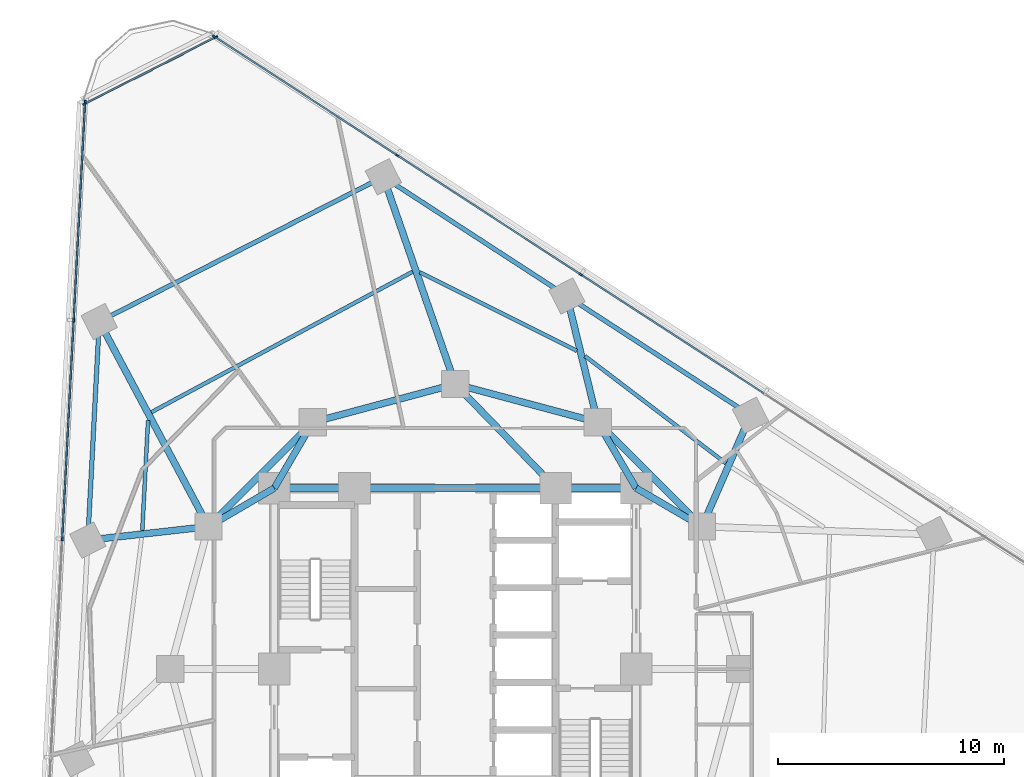
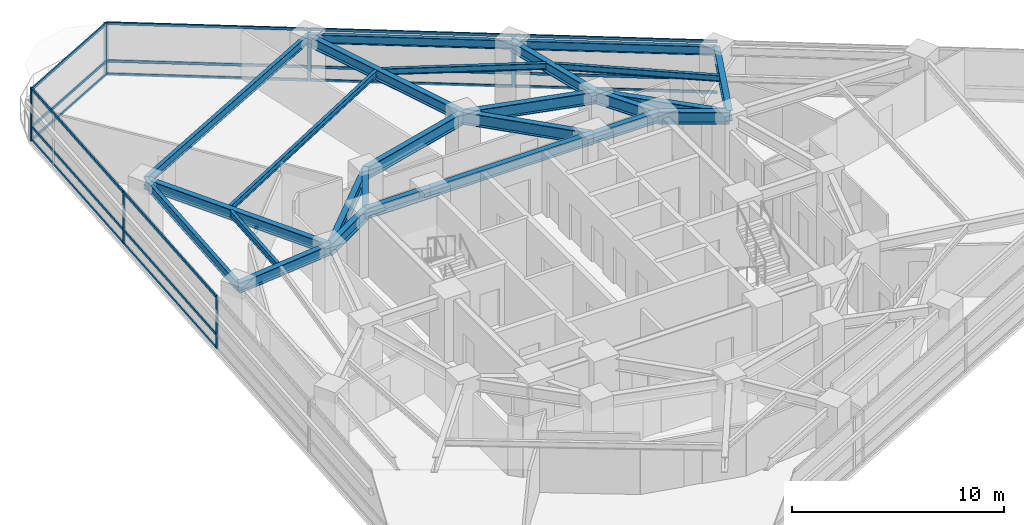
# One storey, part 5 of 14: 26 members, 25 beams, 3 elements without a shape of their own.
"""IFC4 building model written with IfcOpenShell, lengths in metres."""

from ifc_helpers import new_model, si_unit, direction, frame, origin, origin_2d, place, context, subcontext, project, spatial, rectangle, i_section, extrude, material, layer, layer_set, material_profile, profile_set, type_object, element, aggregate, save


model = new_model("IFC4")

# Units and contexts
model_context = context("Model", 3, precision=1e-05, world=origin(), true_north=direction((0.0, 1.0)))
body_context = subcontext(model_context, "Body", "Model", "MODEL_VIEW")
ifc_project = project(units=[si_unit("LENGTHUNIT", "METRE"), si_unit("AREAUNIT", "SQUARE_METRE"), si_unit("VOLUMEUNIT", "CUBIC_METRE"), si_unit("PLANEANGLEUNIT", "RADIAN"), si_unit("MASSUNIT", "GRAM", prefix="KILO")], contexts=[model_context])

# Site, building, storey
site_placement = place(None, origin())
site = spatial("IfcSite", under=ifc_project, at=site_placement, CompositionType="ELEMENT")
building_placement = place(site_placement, origin())
building = spatial("IfcBuilding", under=site, at=building_placement, Name="Terralouvre Media Tower", CompositionType="ELEMENT")
storey_placement = place(building_placement, frame((0.0, 0.0, 127.300048828125)))
storey = spatial("IfcBuildingStorey", under=building, at=storey_placement, Name="L32", CompositionType="ELEMENT", Elevation=127.300048828125)

# Beams
ifc_material_1 = material(Name="Structural steel S355J2", Category="steel")
ifc_material_profile_1 = material_profile(ifc_material_1, i_section(OverallWidth=0.169921875, OverallDepth=0.360107421875, WebThickness=0.008056640625, FlangeThickness=0.0126953125, at=origin_2d()), Name="IPE 360")
ifc_profile_set_1 = profile_set([ifc_material_profile_1], Name="Structural steel S355J2")
beam_type_1 = type_object("IfcBeamType", Name="Composite Floor Joist J-IPE360 (IPE 360)", PredefinedType="JOIST", material=ifc_profile_set_1)
beam_1_placement = place(storey_placement, frame((11.970703125, 9.098388671875, 3.320068359375), z_axis=(-0.795913950382, 0.605409765024, 0.0), x_axis=(-0.605409765024, -0.795913950382, 0.0)))
element("IfcBeam", 1, at=beam_1_placement, inside=storey, type_object=beam_type_1, Name="L32 Framing Beam JT-L32-08", PredefinedType="JOIST", context=body_context, shape_type="SweptSolid", body=[
    extrude(i_section(OverallWidth=0.169921875, OverallDepth=0.360107421875, WebThickness=0.008056640625, FlangeThickness=0.0126953125, at=origin_2d()), origin(), (0.0, 0.0, 1.0), 7.8291015625),
])
beam_2_placement = place(storey_placement, frame((5.37744140625, 14.068603515625, 3.320068359375), z_axis=(-0.893973577097, 0.448119675368, 0.0), x_axis=(-0.448119675368, -0.893973577097, 0.0)))
element("IfcBeam", 2, at=beam_2_placement, inside=storey, type_object=beam_type_1, Name="L32 Framing Beam JT-L32-09", PredefinedType="JOIST", context=body_context, shape_type="SweptSolid", body=[
    extrude(i_section(OverallWidth=0.169921875, OverallDepth=0.360107421875, WebThickness=0.008056640625, FlangeThickness=0.0126953125, at=origin_2d()), origin(), (0.0, 0.0, 1.0), 7.758056640625),
])
beam_3_placement = place(storey_placement, frame((-1.880615234375, 17.569580078125, 3.320068359375), z_axis=(-0.880744642144, -0.473591464592, 0.0), x_axis=(0.473591464592, -0.880744642144, 0.0)))
element("IfcBeam", 3, at=beam_3_placement, inside=storey, type_object=beam_type_1, Name="L32 Framing Beam JT-L32-10", PredefinedType="JOIST", context=body_context, shape_type="SweptSolid", body=[
    extrude(i_section(OverallWidth=0.169921875, OverallDepth=0.360107421875, WebThickness=0.008056640625, FlangeThickness=0.0126953125, at=origin_2d()), origin(), (0.0, 0.0, 1.0), 13.11865234375),
])
beam_4_placement = place(storey_placement, frame((-13.58203125, 10.9970703125, 3.320068359375), z_axis=(-0.052377831518, -0.998627339284, 0.0), x_axis=(0.998627339284, -0.052377831518, 0.0)))
element("IfcBeam", 4, at=beam_4_placement, inside=storey, type_object=beam_type_1, Name="L32 Framing Beam JT-L32-11", PredefinedType="JOIST", context=body_context, shape_type="SweptSolid", body=[
    extrude(i_section(OverallWidth=0.169921875, OverallDepth=0.360107421875, WebThickness=0.008056640625, FlangeThickness=0.0126953125, at=origin_2d()), origin(), (0.0, 0.0, 1.0), 4.884765625),
])

# Curtain wall, members
ifc_material_2 = material(Name="Low-iron laminated double glazing with solar-control coating", Category="glass")
ifc_layer_1 = layer(ifc_material_2, 0.1650390625, Name="Production Studio Tower Curtain Wall CW-03")
ifc_layer_set_1 = layer_set([ifc_layer_1], Name="Low-iron laminated double glazing with solar-control coating")
curtain_wall_type_1 = type_object("IfcCurtainWallType", Name="Production Studio Tower Curtain Wall CW-03", PredefinedType="NOTDEFINED", material=ifc_layer_set_1)
curtain_wall_1_placement = place(storey_placement, origin())
curtain_wall_1 = element("IfcCurtainWall", 5, at=curtain_wall_1_placement, inside=storey, type_object=curtain_wall_type_1, Name="L32 Facade Curtain Wall F1", PredefinedType="NOTDEFINED")
ifc_material_3 = material(Name="Anodised extruded aluminium 6063-T6", Category="aluminium")
ifc_material_profile_2 = material_profile(ifc_material_3, rectangle(XDim=0.074951171875, YDim=0.14990234375, at=origin_2d()), Name="ALU 75x150")
ifc_profile_set_2 = profile_set([ifc_material_profile_2], Name="Anodised extruded aluminium 6063-T6")
member_type_1 = type_object("IfcMemberType", Name="Curtain-Wall Horizontal Transom TR-150", PredefinedType="USERDEFINED", material=ifc_profile_set_2)
member_1_placement = place(storey_placement, frame((13.6416015625, 12.1884765625, 0.037353515625), z_axis=(-0.838672931076, 0.544635396095, 0.0), x_axis=(-0.544635396095, -0.838672931076, 0.0)))
member_1 = element("IfcMember", 6, at=member_1_placement, type_object=member_type_1, Name="CW-03 transom 3.1", ObjectType="TRANSOM", PredefinedType="USERDEFINED", context=body_context, shape_type="SweptSolid", body=[
    extrude(rectangle(XDim=0.074951171875, YDim=0.14990234375, at=origin_2d()), origin(), (0.0, 0.0, 1.0), 9.60498046875),
])
member_2_placement = place(storey_placement, frame((13.6416015625, 12.1884765625, 0.800048828125), z_axis=(-0.838672931076, 0.544635396095, 0.0), x_axis=(-0.544635396095, -0.838672931076, 0.0)))
member_2 = element("IfcMember", 7, at=member_2_placement, type_object=member_type_1, Name="CW-03 transom 3.2", ObjectType="TRANSOM", PredefinedType="USERDEFINED", context=body_context, shape_type="SweptSolid", body=[
    extrude(rectangle(XDim=0.074951171875, YDim=0.14990234375, at=origin_2d()), origin(), (0.0, 0.0, 1.0), 9.60498046875),
])
member_3_placement = place(storey_placement, frame((13.6416015625, 12.1884765625, 2.96240234375), z_axis=(-0.838672931076, 0.544635396095, 0.0), x_axis=(-0.544635396095, -0.838672931076, 0.0)))
member_3 = element("IfcMember", 8, at=member_3_placement, type_object=member_type_1, Name="CW-03 transom 3.3", ObjectType="TRANSOM", PredefinedType="USERDEFINED", context=body_context, shape_type="SweptSolid", body=[
    extrude(rectangle(XDim=0.074951171875, YDim=0.14990234375, at=origin_2d()), origin(), (0.0, 0.0, 1.0), 9.60498046875),
])
member_4_placement = place(storey_placement, frame((5.523193359375, 17.460693359375, 0.037353515625), z_axis=(-0.838672931076, 0.544635396095, 0.0), x_axis=(-0.544635396095, -0.838672931076, 0.0)))
member_4 = element("IfcMember", 9, at=member_4_placement, type_object=member_type_1, Name="CW-03 transom 4.1", ObjectType="TRANSOM", PredefinedType="USERDEFINED", context=body_context, shape_type="SweptSolid", body=[
    extrude(rectangle(XDim=0.074951171875, YDim=0.14990234375, at=origin_2d()), origin(), (0.0, 0.0, 1.0), 9.60498046875),
])
member_5_placement = place(storey_placement, frame((5.523193359375, 17.460693359375, 0.800048828125), z_axis=(-0.838672931076, 0.544635396095, 0.0), x_axis=(-0.544635396095, -0.838672931076, 0.0)))
member_5 = element("IfcMember", 10, at=member_5_placement, type_object=member_type_1, Name="CW-03 transom 4.2", ObjectType="TRANSOM", PredefinedType="USERDEFINED", context=body_context, shape_type="SweptSolid", body=[
    extrude(rectangle(XDim=0.074951171875, YDim=0.14990234375, at=origin_2d()), origin(), (0.0, 0.0, 1.0), 9.60498046875),
])
member_6_placement = place(storey_placement, frame((5.523193359375, 17.460693359375, 2.96240234375), z_axis=(-0.838672931076, 0.544635396095, 0.0), x_axis=(-0.544635396095, -0.838672931076, 0.0)))
member_6 = element("IfcMember", 11, at=member_6_placement, type_object=member_type_1, Name="CW-03 transom 4.3", ObjectType="TRANSOM", PredefinedType="USERDEFINED", context=body_context, shape_type="SweptSolid", body=[
    extrude(rectangle(XDim=0.074951171875, YDim=0.14990234375, at=origin_2d()), origin(), (0.0, 0.0, 1.0), 9.60498046875),
])
member_7_placement = place(storey_placement, frame((-2.594970703125, 22.732666015625, 0.037353515625), z_axis=(-0.838671492993, 0.544637610565, 0.0), x_axis=(-0.544637610565, -0.838671492993, 0.0)))
member_7 = element("IfcMember", 12, at=member_7_placement, type_object=member_type_1, Name="CW-03 transom 5.1", ObjectType="TRANSOM", PredefinedType="USERDEFINED", context=body_context, shape_type="SweptSolid", body=[
    extrude(rectangle(XDim=0.074951171875, YDim=0.14990234375, at=origin_2d()), origin(), (0.0, 0.0, 1.0), 9.567626953125),
])
member_8_placement = place(storey_placement, frame((-2.594970703125, 22.732666015625, 0.800048828125), z_axis=(-0.838671492993, 0.544637610565, 0.0), x_axis=(-0.544637610565, -0.838671492993, 0.0)))
member_8 = element("IfcMember", 13, at=member_8_placement, type_object=member_type_1, Name="CW-03 transom 5.2", ObjectType="TRANSOM", PredefinedType="USERDEFINED", context=body_context, shape_type="SweptSolid", body=[
    extrude(rectangle(XDim=0.074951171875, YDim=0.14990234375, at=origin_2d()), origin(), (0.0, 0.0, 1.0), 9.567626953125),
])
member_9_placement = place(storey_placement, frame((-2.594970703125, 22.732666015625, 2.96240234375), z_axis=(-0.838671492993, 0.544637610565, 0.0), x_axis=(-0.544637610565, -0.838671492993, 0.0)))
member_9 = element("IfcMember", 14, at=member_9_placement, type_object=member_type_1, Name="CW-03 transom 5.3", ObjectType="TRANSOM", PredefinedType="USERDEFINED", context=body_context, shape_type="SweptSolid", body=[
    extrude(rectangle(XDim=0.074951171875, YDim=0.14990234375, at=origin_2d()), origin(), (0.0, 0.0, 1.0), 9.567626953125),
])

curtain_wall_2_placement = place(storey_placement, origin())
curtain_wall_2 = element("IfcCurtainWall", 15, at=curtain_wall_2_placement, inside=storey, type_object=curtain_wall_type_1, Name="L32 Facade Curtain Wall F2", PredefinedType="NOTDEFINED")
member_10_placement = place(storey_placement, frame((-16.364990234375, 25.015869140625, 0.037353515625), z_axis=(-0.052336504837, -0.998629506004, 0.0), x_axis=(0.998629506004, -0.052336504837, 0.0)))
member_10 = element("IfcMember", 16, at=member_10_placement, type_object=member_type_1, Name="CW-03 transom 1.1", ObjectType="TRANSOM", PredefinedType="USERDEFINED", context=body_context, shape_type="SweptSolid", body=[
    extrude(rectangle(XDim=0.074951171875, YDim=0.14990234375, at=origin_2d()), origin(), (0.0, 0.0, 1.0), 9.567626953125),
])
member_11_placement = place(storey_placement, frame((-16.364990234375, 25.015869140625, 0.800048828125), z_axis=(-0.052336504837, -0.998629506004, 0.0), x_axis=(0.998629506004, -0.052336504837, 0.0)))
member_11 = element("IfcMember", 17, at=member_11_placement, type_object=member_type_1, Name="CW-03 transom 1.2", ObjectType="TRANSOM", PredefinedType="USERDEFINED", context=body_context, shape_type="SweptSolid", body=[
    extrude(rectangle(XDim=0.074951171875, YDim=0.14990234375, at=origin_2d()), origin(), (0.0, 0.0, 1.0), 9.567626953125),
])
member_12_placement = place(storey_placement, frame((-16.364990234375, 25.015869140625, 2.96240234375), z_axis=(-0.052336504837, -0.998629506004, 0.0), x_axis=(0.998629506004, -0.052336504837, 0.0)))
member_12 = element("IfcMember", 18, at=member_12_placement, type_object=member_type_1, Name="CW-03 transom 1.3", ObjectType="TRANSOM", PredefinedType="USERDEFINED", context=body_context, shape_type="SweptSolid", body=[
    extrude(rectangle(XDim=0.074951171875, YDim=0.14990234375, at=origin_2d()), origin(), (0.0, 0.0, 1.0), 9.567626953125),
])
member_13_placement = place(storey_placement, frame((-16.86962890625, 15.386474609375, 0.037353515625), z_axis=(-0.052336036535, -0.998629530547, 0.0), x_axis=(0.998629530547, -0.052336036535, 0.0)))
member_13 = element("IfcMember", 19, at=member_13_placement, type_object=member_type_1, Name="CW-03 transom 2.1", ObjectType="TRANSOM", PredefinedType="USERDEFINED", context=body_context, shape_type="SweptSolid", body=[
    extrude(rectangle(XDim=0.074951171875, YDim=0.14990234375, at=origin_2d()), origin(), (0.0, 0.0, 1.0), 9.60498046875),
])
member_14_placement = place(storey_placement, frame((-16.86962890625, 15.386474609375, 0.800048828125), z_axis=(-0.052336036535, -0.998629530547, 0.0), x_axis=(0.998629530547, -0.052336036535, 0.0)))
member_14 = element("IfcMember", 20, at=member_14_placement, type_object=member_type_1, Name="CW-03 transom 2.2", ObjectType="TRANSOM", PredefinedType="USERDEFINED", context=body_context, shape_type="SweptSolid", body=[
    extrude(rectangle(XDim=0.074951171875, YDim=0.14990234375, at=origin_2d()), origin(), (0.0, 0.0, 1.0), 9.60498046875),
])
member_15_placement = place(storey_placement, frame((-16.86962890625, 15.386474609375, 2.96240234375), z_axis=(-0.052336036535, -0.998629530547, 0.0), x_axis=(0.998629530547, -0.052336036535, 0.0)))
member_15 = element("IfcMember", 21, at=member_15_placement, type_object=member_type_1, Name="CW-03 transom 2.3", ObjectType="TRANSOM", PredefinedType="USERDEFINED", context=body_context, shape_type="SweptSolid", body=[
    extrude(rectangle(XDim=0.074951171875, YDim=0.14990234375, at=origin_2d()), origin(), (0.0, 0.0, 1.0), 9.60498046875),
])

ifc_material_4 = material(Name="Low-iron laminated double glazing with solar-control coating", Category="glass")
ifc_layer_2 = layer(ifc_material_4, 0.1650390625, Name="Rounded Wind-Corner Curved Glazing CW-04")
ifc_layer_set_2 = layer_set([ifc_layer_2], Name="Low-iron laminated double glazing with solar-control coating")
curtain_wall_type_2 = type_object("IfcCurtainWallType", Name="Rounded Wind-Corner Curved Glazing CW-04", PredefinedType="NOTDEFINED", material=ifc_layer_set_2)
curtain_wall_3_placement = place(storey_placement, origin())
curtain_wall_3 = element("IfcCurtainWall", 22, at=curtain_wall_3_placement, inside=storey, type_object=curtain_wall_type_2, Name="L32 Rounded Wind-Corner Curtain Wall C2", PredefinedType="NOTDEFINED")
member_16_placement = place(storey_placement, frame((-10.619873046875, 27.92626953125, 0.037353515625), z_axis=(-0.891007919555, -0.453987761167, 0.0), x_axis=(0.453987761167, -0.891007919555, 0.0)))
member_16 = element("IfcMember", 23, at=member_16_placement, type_object=member_type_1, Name="CW-04 transom 1.1", ObjectType="TRANSOM", PredefinedType="USERDEFINED", context=body_context, shape_type="SweptSolid", body=[
    extrude(rectangle(XDim=0.074951171875, YDim=0.14990234375, at=origin_2d()), origin(), (0.0, 0.0, 1.0), 6.431640625),
])
member_17_placement = place(storey_placement, frame((-10.619873046875, 27.92626953125, 0.800048828125), z_axis=(-0.891007919555, -0.453987761167, 0.0), x_axis=(0.453987761167, -0.891007919555, 0.0)))
member_17 = element("IfcMember", 24, at=member_17_placement, type_object=member_type_1, Name="CW-04 transom 1.2", ObjectType="TRANSOM", PredefinedType="USERDEFINED", context=body_context, shape_type="SweptSolid", body=[
    extrude(rectangle(XDim=0.074951171875, YDim=0.14990234375, at=origin_2d()), origin(), (0.0, 0.0, 1.0), 6.431640625),
])
member_18_placement = place(storey_placement, frame((-10.619873046875, 27.92626953125, 2.96240234375), z_axis=(-0.891007919555, -0.453987761167, 0.0), x_axis=(0.453987761167, -0.891007919555, 0.0)))
member_18 = element("IfcMember", 25, at=member_18_placement, type_object=member_type_1, Name="CW-04 transom 1.3", ObjectType="TRANSOM", PredefinedType="USERDEFINED", context=body_context, shape_type="SweptSolid", body=[
    extrude(rectangle(XDim=0.074951171875, YDim=0.14990234375, at=origin_2d()), origin(), (0.0, 0.0, 1.0), 6.431640625),
])

# Member
ifc_material_5 = material(Name="Anodised extruded aluminium 6063-T6", Category="aluminium")
ifc_material_profile_3 = material_profile(ifc_material_5, rectangle(XDim=0.074951171875, YDim=0.179931640625, at=origin_2d()), Name="ALU 75x180")
ifc_profile_set_3 = profile_set([ifc_material_profile_3], Name="Anodised extruded aluminium 6063-T6")
member_type_2 = type_object("IfcMemberType", Name="Curtain-Wall Vertical Mullion ML-180", PredefinedType="MULLION", material=ifc_profile_set_3)
member_19_placement = place(storey_placement, frame((5.5546875, 17.440185546875, 0.0), z_axis=(0.0, 0.0, 1.0), x_axis=(-0.544639002681, -0.838670588944, 0.0)))
member_19 = element("IfcMember", 26, at=member_19_placement, type_object=member_type_2, Name="CW-03 mullion 4", PredefinedType="MULLION", context=body_context, shape_type="SweptSolid", body=[
    extrude(rectangle(XDim=0.074951171875, YDim=0.179931640625, at=origin_2d()), origin(), (0.0, 0.0, 1.0), 3.0),
])

member_20_placement = place(storey_placement, frame((-2.5634765625, 22.712158203125, 0.0), z_axis=(0.0, 0.0, 1.0), x_axis=(-0.544639002681, -0.838670588944, 0.0)))
member_20 = element("IfcMember", 27, at=member_20_placement, type_object=member_type_2, Name="CW-03 mullion 5", PredefinedType="MULLION", context=body_context, shape_type="SweptSolid", body=[
    extrude(rectangle(XDim=0.074951171875, YDim=0.179931640625, at=origin_2d()), origin(), (0.0, 0.0, 1.0), 3.0),
])

member_21_placement = place(storey_placement, frame((-10.650390625, 27.9638671875, 0.0), z_axis=(0.0, 0.0, 1.0), x_axis=(-0.544639002681, -0.838670588944, 0.0)))
member_21 = element("IfcMember", 28, at=member_21_placement, type_object=member_type_2, Name="CW-03 mullion 6", PredefinedType="MULLION", context=body_context, shape_type="SweptSolid", body=[
    extrude(rectangle(XDim=0.074951171875, YDim=0.179931640625, at=origin_2d()), origin(), (0.0, 0.0, 1.0), 3.0),
])

aggregate(curtain_wall_1, [member_19, member_20, member_21, member_1, member_2, member_3, member_4, member_5, member_6, member_7, member_8, member_9])

member_22_placement = place(storey_placement, frame((-16.363037109375, 25.05322265625, 0.0), z_axis=(0.0, 0.0, 1.0), x_axis=(0.998629535089, -0.052335949864, 0.0)))
member_22 = element("IfcMember", 29, at=member_22_placement, type_object=member_type_2, Name="CW-03 mullion 1", PredefinedType="MULLION", context=body_context, shape_type="SweptSolid", body=[
    extrude(rectangle(XDim=0.074951171875, YDim=0.179931640625, at=origin_2d()), origin(), (0.0, 0.0, 1.0), 3.0),
])

member_23_placement = place(storey_placement, frame((-16.86767578125, 15.423828125, 0.0), z_axis=(0.0, 0.0, 1.0), x_axis=(0.998629535089, -0.052335949864, 0.0)))
member_23 = element("IfcMember", 30, at=member_23_placement, type_object=member_type_2, Name="CW-03 mullion 2", PredefinedType="MULLION", context=body_context, shape_type="SweptSolid", body=[
    extrude(rectangle(XDim=0.074951171875, YDim=0.179931640625, at=origin_2d()), origin(), (0.0, 0.0, 1.0), 3.0),
])

member_24_placement = place(storey_placement, frame((-17.374267578125, 5.757080078125, 0.0), z_axis=(0.0, 0.0, 1.0), x_axis=(0.998629535089, -0.052335949864, 0.0)))
member_24 = element("IfcMember", 31, at=member_24_placement, type_object=member_type_2, Name="CW-03 mullion 3", PredefinedType="MULLION", context=body_context, shape_type="SweptSolid", body=[
    extrude(rectangle(XDim=0.074951171875, YDim=0.179931640625, at=origin_2d()), origin(), (0.0, 0.0, 1.0), 3.0),
])

aggregate(curtain_wall_2, [member_22, member_23, member_24, member_10, member_11, member_12, member_13, member_14, member_15])

member_25_placement = place(storey_placement, frame((-10.58642578125, 27.943359375, 0.0), z_axis=(0.0, 0.0, 1.0), x_axis=(0.45399035059, -0.891006600184, 0.0)))
member_25 = element("IfcMember", 32, at=member_25_placement, type_object=member_type_2, Name="CW-04 mullion 1", PredefinedType="MULLION", context=body_context, shape_type="SweptSolid", body=[
    extrude(rectangle(XDim=0.074951171875, YDim=0.179931640625, at=origin_2d()), origin(), (0.0, 0.0, 1.0), 3.0),
])

member_26_placement = place(storey_placement, frame((-16.384033203125, 24.9892578125, 0.0), z_axis=(0.0, 0.0, 1.0), x_axis=(0.45399035059, -0.891006600184, 0.0)))
member_26 = element("IfcMember", 33, at=member_26_placement, type_object=member_type_2, Name="CW-04 mullion 2", PredefinedType="MULLION", context=body_context, shape_type="SweptSolid", body=[
    extrude(rectangle(XDim=0.074951171875, YDim=0.179931640625, at=origin_2d()), origin(), (0.0, 0.0, 1.0), 3.0),
])

aggregate(curtain_wall_3, [member_25, member_26, member_16, member_17, member_18])

# Beams
ifc_material_6 = material(Name="Structural steel S355J2", Category="steel")
ifc_material_profile_4 = material_profile(ifc_material_6, i_section(OverallWidth=0.199951171875, OverallDepth=0.5, WebThickness=0.01025390625, FlangeThickness=0.01611328125, at=origin_2d()), Name="IPE 500")
ifc_profile_set_4 = profile_set([ifc_material_profile_4], Name="Structural steel S355J2")
beam_type_2 = type_object("IfcBeamType", Name="Perimeter Spandrel Beam SPB-500 (IPE 500)", PredefinedType="SPANDREL", material=ifc_profile_set_4)
for number, where, z_axis, x_axis, name in (
    (34, (13.0576171875, 11.220458984375, 3.25), (-0.838679216118, 0.544625717765, 0.0), (-0.544625717765, -0.838679216118, 0.0), "L32 Framing Beam BM-L32-PR08"),
    (35, (4.939208984375, 16.492431640625, 3.25), (-0.838660214263, 0.544654977956, 0.0), (-0.544654977956, -0.838660214263, 0.0), "L32 Framing Beam BM-L32-PR09"),
):
    element("IfcBeam", number, at=place(storey_placement, frame(where, z_axis=z_axis, x_axis=x_axis)), inside=storey, type_object=beam_type_2, Name=name, PredefinedType="SPANDREL", context=body_context, shape_type="SweptSolid", body=[
        extrude(i_section(OverallWidth=0.199951171875, OverallDepth=0.5, WebThickness=0.01025390625, FlangeThickness=0.01611328125, at=origin_2d()), origin(), (0.0, 0.0, 1.0), 9.679931640625),
    ])
beam_5_placement = place(storey_placement, frame((-3.178955078125, 21.7646484375, 3.25), z_axis=(-0.891003412269, -0.453996607173, 0.0), x_axis=(0.453996607173, -0.891003412269, 0.0)))
element("IfcBeam", 36, at=beam_5_placement, inside=storey, type_object=beam_type_2, Name="L32 Framing Beam BM-L32-PR10", PredefinedType="SPANDREL", context=body_context, shape_type="SweptSolid", body=[
    extrude(i_section(OverallWidth=0.199951171875, OverallDepth=0.5, WebThickness=0.01025390625, FlangeThickness=0.01611328125, at=origin_2d()), origin(), (0.0, 0.0, 1.0), 14.096923828125),
])
beam_6_placement = place(storey_placement, frame((-15.7392578125, 15.36474609375, 3.25), z_axis=(-0.052333792648, -0.998629648141, 0.0), x_axis=(0.998629648141, -0.052333792648, 0.0)))
element("IfcBeam", 37, at=beam_6_placement, inside=storey, type_object=beam_type_2, Name="L32 Framing Beam BM-L32-PR11", PredefinedType="SPANDREL", context=body_context, shape_type="SweptSolid", body=[
    extrude(i_section(OverallWidth=0.199951171875, OverallDepth=0.5, WebThickness=0.01025390625, FlangeThickness=0.01611328125, at=origin_2d()), origin(), (0.0, 0.0, 1.0), 9.679931640625),
])
ifc_material_7 = material(Name="Structural steel S460M", Category="steel")
ifc_material_profile_5 = material_profile(ifc_material_7, i_section(OverallWidth=0.300048828125, OverallDepth=0.60009765625, WebThickness=0.015380859375, FlangeThickness=0.030029296875, at=origin_2d()), Name="HEB 600")
ifc_profile_set_5 = profile_set([ifc_material_profile_5], Name="Structural steel S460M")
beam_type_3 = type_object("IfcBeamType", Name="Primary Floor Girder B-HEB600 (HEB 600)", PredefinedType="BEAM", material=ifc_profile_set_5)
beam_7_placement = place(storey_placement, frame((8.0, 8.0, 3.199951171875), z_axis=(-1.0, 0.0, 0.0), x_axis=(0.0, -1.0, 0.0)))
element("IfcBeam", 38, at=beam_7_placement, inside=storey, type_object=beam_type_3, Name="L32 Framing Beam BM-L32-CPR06", PredefinedType="BEAM", context=body_context, shape_type="SweptSolid", body=[
    extrude(i_section(OverallWidth=0.300048828125, OverallDepth=0.60009765625, WebThickness=0.015380859375, FlangeThickness=0.030029296875, at=origin_2d()), origin(), (0.0, 0.0, 1.0), 3.550048828125),
])
beam_8_placement = place(storey_placement, frame((4.449951171875, 8.0, 3.199951171875), z_axis=(-1.0, 0.0, 0.0), x_axis=(0.0, -1.0, 0.0)))
element("IfcBeam", 39, at=beam_8_placement, inside=storey, type_object=beam_type_3, Name="L32 Framing Beam BM-L32-CPR07", PredefinedType="BEAM", context=body_context, shape_type="SweptSolid", body=[
    extrude(i_section(OverallWidth=0.300048828125, OverallDepth=0.60009765625, WebThickness=0.015380859375, FlangeThickness=0.030029296875, at=origin_2d()), origin(), (0.0, 0.0, 1.0), 8.89990234375),
])
beam_9_placement = place(storey_placement, frame((-4.449951171875, 8.0, 3.199951171875), z_axis=(-1.0, 0.0, 0.0), x_axis=(0.0, -1.0, 0.0)))
element("IfcBeam", 40, at=beam_9_placement, inside=storey, type_object=beam_type_3, Name="L32 Framing Beam BM-L32-CPR08", PredefinedType="BEAM", context=body_context, shape_type="SweptSolid", body=[
    extrude(i_section(OverallWidth=0.300048828125, OverallDepth=0.60009765625, WebThickness=0.015380859375, FlangeThickness=0.030029296875, at=origin_2d()), origin(), (0.0, 0.0, 1.0), 3.550048828125),
])
beam_10_placement = place(storey_placement, frame((10.911865234375, 6.300048828125, 3.199951171875), z_axis=(0.39973535277, 0.916630595031, 0.0), x_axis=(-0.916630595031, 0.39973535277, 0.0)))
element("IfcBeam", 41, at=beam_10_placement, inside=storey, type_object=beam_type_3, Name="L32 Framing Beam BM-L32-RD08", PredefinedType="BEAM", context=body_context, shape_type="SweptSolid", body=[
    extrude(i_section(OverallWidth=0.300048828125, OverallDepth=0.60009765625, WebThickness=0.015380859375, FlangeThickness=0.030029296875, at=origin_2d()), origin(), (0.0, 0.0, 1.0), 5.367919921875),
])
beam_11_placement = place(storey_placement, frame((6.300048828125, 10.911865234375, 3.199951171875), z_axis=(-0.23691117125, 0.971531315469, 0.0), x_axis=(-0.971531315469, -0.23691117125, 0.0)))
element("IfcBeam", 42, at=beam_11_placement, inside=storey, type_object=beam_type_3, Name="L32 Framing Beam BM-L32-RD09", PredefinedType="BEAM", context=body_context, shape_type="SweptSolid", body=[
    extrude(i_section(OverallWidth=0.300048828125, OverallDepth=0.60009765625, WebThickness=0.015380859375, FlangeThickness=0.030029296875, at=origin_2d()), origin(), (0.0, 0.0, 1.0), 5.744140625),
])
beam_12_placement = place(storey_placement, frame((0.0, 12.60009765625, 3.199951171875), z_axis=(-0.327719061781, 0.944775220116, 0.0), x_axis=(-0.944775220116, -0.327719061781, 0.0)))
element("IfcBeam", 43, at=beam_12_placement, inside=storey, type_object=beam_type_3, Name="L32 Framing Beam BM-L32-RD10", PredefinedType="BEAM", context=body_context, shape_type="SweptSolid", body=[
    extrude(i_section(OverallWidth=0.300048828125, OverallDepth=0.60009765625, WebThickness=0.015380859375, FlangeThickness=0.030029296875, at=origin_2d()), origin(), (0.0, 0.0, 1.0), 9.7001953125),
])
beam_13_placement = place(storey_placement, frame((-10.911865234375, 6.300048828125, 3.199951171875), z_axis=(-0.470048953024, 0.882640346778, 0.0), x_axis=(-0.882640346778, -0.470048953024, 0.0)))
element("IfcBeam", 44, at=beam_13_placement, inside=storey, type_object=beam_type_3, Name="L32 Framing Beam BM-L32-RD11", PredefinedType="BEAM", context=body_context, shape_type="SweptSolid", body=[
    extrude(i_section(OverallWidth=0.300048828125, OverallDepth=0.60009765625, WebThickness=0.015380859375, FlangeThickness=0.030029296875, at=origin_2d()), origin(), (0.0, 0.0, 1.0), 10.27001953125),
])
beam_14_placement = place(storey_placement, frame((-10.911865234375, 6.300048828125, 3.199951171875), z_axis=(-0.993690322099, -0.112158565283, 0.0), x_axis=(0.112158565283, -0.993690322099, 0.0)))
element("IfcBeam", 45, at=beam_14_placement, inside=storey, type_object=beam_type_3, Name="L32 Framing Beam BM-L32-RD12", PredefinedType="BEAM", context=body_context, shape_type="SweptSolid", body=[
    extrude(i_section(OverallWidth=0.300048828125, OverallDepth=0.60009765625, WebThickness=0.015380859375, FlangeThickness=0.030029296875, at=origin_2d()), origin(), (0.0, 0.0, 1.0), 5.367919921875),
])
ifc_material_8 = material(Name="Structural steel S460M", Category="steel")
ifc_material_profile_6 = material_profile(ifc_material_8, i_section(OverallWidth=0.300048828125, OverallDepth=0.699951171875, WebThickness=0.01708984375, FlangeThickness=0.031982421875, at=origin_2d()), Name="HEB 700")
ifc_profile_set_6 = profile_set([ifc_material_profile_6], Name="Structural steel S460M")
beam_type_4 = type_object("IfcBeamType", Name="Primary Floor Girder B-HEB700 (HEB 700)", PredefinedType="BEAM", material=ifc_profile_set_6)
beam_15_placement = place(storey_placement, frame((10.911865234375, 6.300048828125, 3.14990234375), z_axis=(-0.707106781187, 0.707106781187, 0.0), x_axis=(-0.707106781187, -0.707106781187, 0.0)))
element("IfcBeam", 46, at=beam_15_placement, inside=storey, type_object=beam_type_4, Name="L32 Framing Beam BM-L32-MR07", PredefinedType="BEAM", context=body_context, shape_type="SweptSolid", body=[
    extrude(i_section(OverallWidth=0.300048828125, OverallDepth=0.699951171875, WebThickness=0.01708984375, FlangeThickness=0.031982421875, at=origin_2d()), origin(), (0.0, 0.0, 1.0), 6.52197265625),
])
for number, where, z_axis, x_axis, name in (
    (47, (6.300048828125, 10.911865234375, 3.14990234375), (-0.965920481897, 0.258838989821, 0.0), (-0.258838989821, -0.965920481897, 0.0), "L32 Framing Beam BM-L32-MR08"),
    (48, (0.0, 12.60009765625, 3.14990234375), (-0.965920481897, -0.258838989821, 0.0), (0.258838989821, -0.965920481897, 0.0), "L32 Framing Beam BM-L32-MR09"),
):
    element("IfcBeam", number, at=place(storey_placement, frame(where, z_axis=z_axis, x_axis=x_axis)), inside=storey, type_object=beam_type_4, Name=name, PredefinedType="BEAM", context=body_context, shape_type="SweptSolid", body=[
        extrude(i_section(OverallWidth=0.300048828125, OverallDepth=0.699951171875, WebThickness=0.01708984375, FlangeThickness=0.031982421875, at=origin_2d()), origin(), (0.0, 0.0, 1.0), 6.522216796875),
    ])
beam_16_placement = place(storey_placement, frame((-6.300048828125, 10.911865234375, 3.14990234375), z_axis=(-0.707106781187, -0.707106781187, 0.0), x_axis=(0.707106781187, -0.707106781187, 0.0)))
element("IfcBeam", 49, at=beam_16_placement, inside=storey, type_object=beam_type_4, Name="L32 Framing Beam BM-L32-MR10", PredefinedType="BEAM", context=body_context, shape_type="SweptSolid", body=[
    extrude(i_section(OverallWidth=0.300048828125, OverallDepth=0.699951171875, WebThickness=0.01708984375, FlangeThickness=0.031982421875, at=origin_2d()), origin(), (0.0, 0.0, 1.0), 6.52197265625),
])
for number, where, z_axis, x_axis, name in (
    (50, (8.0, 8.0, 3.14990234375), (0.863602894532, -0.504172629717, 0.0), (0.504172629717, 0.863602894532, 0.0), "L32 Framing Beam BM-L32-CM07"),
    (51, (8.0, 8.0, 3.14990234375), (-0.504172629717, 0.863602894532, 0.0), (-0.863602894532, -0.504172629717, 0.0), "L32 Framing Beam BM-L32-CM08"),
):
    element("IfcBeam", number, at=place(storey_placement, frame(where, z_axis=z_axis, x_axis=x_axis)), inside=storey, type_object=beam_type_4, Name=name, PredefinedType="BEAM", context=body_context, shape_type="SweptSolid", body=[
        extrude(i_section(OverallWidth=0.300048828125, OverallDepth=0.699951171875, WebThickness=0.01708984375, FlangeThickness=0.031982421875, at=origin_2d()), origin(), (0.0, 0.0, 1.0), 3.371826171875),
    ])
beam_17_placement = place(storey_placement, frame((4.449951171875, 8.0, 3.14990234375), z_axis=(-0.695279715726, 0.718739255155, 0.0), x_axis=(-0.718739255155, -0.695279715726, 0.0)))
element("IfcBeam", 52, at=beam_17_placement, inside=storey, type_object=beam_type_4, Name="L32 Framing Beam BM-L32-CM09", PredefinedType="BEAM", context=body_context, shape_type="SweptSolid", body=[
    extrude(i_section(OverallWidth=0.300048828125, OverallDepth=0.699951171875, WebThickness=0.01708984375, FlangeThickness=0.031982421875, at=origin_2d()), origin(), (0.0, 0.0, 1.0), 6.400146484375),
])
for number, where, z_axis, x_axis, name in (
    (53, (-8.0, 8.0, 3.14990234375), (0.504172629717, 0.863602894532, 0.0), (-0.863602894532, 0.504172629717, 0.0), "L32 Framing Beam BM-L32-CM10"),
    (54, (-8.0, 8.0, 3.14990234375), (-0.863602894532, -0.504172629717, 0.0), (0.504172629717, -0.863602894532, 0.0), "L32 Framing Beam BM-L32-CM11"),
):
    element("IfcBeam", number, at=place(storey_placement, frame(where, z_axis=z_axis, x_axis=x_axis)), inside=storey, type_object=beam_type_4, Name=name, PredefinedType="BEAM", context=body_context, shape_type="SweptSolid", body=[
        extrude(i_section(OverallWidth=0.300048828125, OverallDepth=0.699951171875, WebThickness=0.01708984375, FlangeThickness=0.031982421875, at=origin_2d()), origin(), (0.0, 0.0, 1.0), 3.371826171875),
    ])

save(model, "model.ifc")
